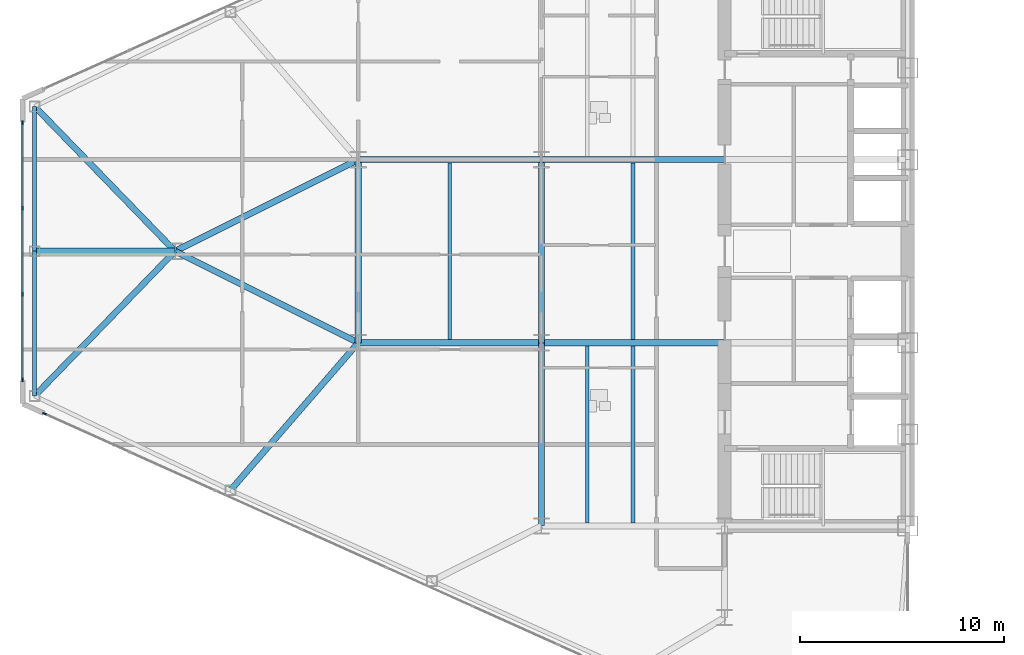
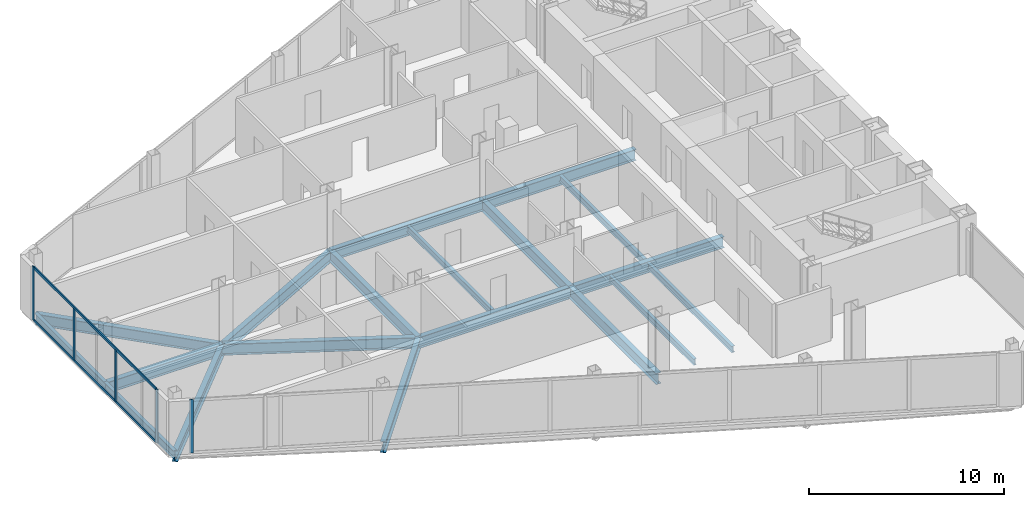
# One storey, part 5 of 27: 19 beams, 7 members, 2 elements without a shape of their own.
"""IFC4 building model written with IfcOpenShell, lengths in metres."""

import ifcopenshell
import ifcopenshell.guid

model = None  # the IFC model being written
_history = None  # IfcOwnerHistory: only IFC2X3 demands one
_inside = {}  # id of a spatial element -> (the spatial element, [elements in it])
_under = {}  # id of a project, library or spatial element -> (it, [spatial elements below it])
_declared = {}  # id of a project -> (the project, [libraries it declares])
_typed = {}  # id of a type object -> (the type object, [elements of that type])
_made_of = {}  # id of a material, layer set ... -> (it, [elements and type objects made of it])


def new_model(schema):
    """Start an empty IFC model of exactly this schema.

    Asked for "IFC4X3", IfcOpenShell would pick the latest addendum, in which some entities
    have other attributes; the version numbers below select the first issue.
    IFC2X3 requires an IfcOwnerHistory on every rooted entity: one is made here for all.
    """
    global model, _history
    if schema == "IFC4X3":
        model = ifcopenshell.file(schema_version=(4, 3, 0, 0))
    else:
        model = ifcopenshell.file(schema=schema)
    _inside.clear()
    _under.clear()
    _declared.clear()
    _typed.clear()
    _made_of.clear()
    _history = None
    if model.schema == "IFC2X3":
        org = make("IfcOrganization", Name="unknown")
        user = make(
            "IfcPersonAndOrganization",
            ThePerson=make("IfcPerson", FamilyName="unknown"),
            TheOrganization=org,
        )
        app = make(
            "IfcApplication",
            ApplicationDeveloper=org,
            Version="unknown",
            ApplicationFullName="unknown",
            ApplicationIdentifier="unknown",
        )
        _history = make(
            "IfcOwnerHistory",
            OwningUser=user,
            OwningApplication=app,
            ChangeAction="ADDED",
            CreationDate=0,
        )
    return model


def make(cls, **values):
    """One entity of the class cls with the attributes given. An attribute that is None is left unset."""
    return model.create_entity(
        cls, **{name: value for name, value in values.items() if value is not None}
    )


def rooted(cls, **values):
    """An entity with a GlobalId (a new one), such as an element, a storey or a relation."""
    return make(cls, GlobalId=ifcopenshell.guid.new(), OwnerHistory=_history, **values)


def si_unit(unit_type, name, prefix=None):
    """IfcSIUnit, for example si_unit("LENGTHUNIT", "METRE", prefix="MILLI")."""
    return make("IfcSIUnit", UnitType=unit_type, Prefix=prefix, Name=name)


def assignment(units):
    """IfcUnitAssignment: the units of a project."""
    return None if units is None else make("IfcUnitAssignment", Units=units)


def point(xyz):
    """IfcCartesianPoint."""
    return None if xyz is None else make("IfcCartesianPoint", Coordinates=xyz)


def direction(xyz):
    """IfcDirection."""
    return None if xyz is None else make("IfcDirection", DirectionRatios=xyz)


def frame(location, z_axis=None, x_axis=None):
    """IfcAxis2Placement3D, a coordinate frame: its origin and axes. An axis left out is left unset."""
    return make(
        "IfcAxis2Placement3D",
        Location=point(location),
        Axis=direction(z_axis),
        RefDirection=direction(x_axis),
    )


def frame_2d(location, x_axis=None):
    """IfcAxis2Placement2D, a coordinate frame in the plane: its origin and x axis."""
    return make(
        "IfcAxis2Placement2D", Location=point(location), RefDirection=direction(x_axis)
    )


def origin():
    """The frame at (0, 0, 0) with its axes left unset."""
    return frame((0.0, 0.0, 0.0))


def origin_2d():
    """The frame at (0, 0) in the plane with its x axis left unset."""
    return frame_2d((0.0, 0.0))


def place(relative_to, where):
    """IfcLocalPlacement: puts the frame where relative to a parent placement (None: the world)."""
    return make(
        "IfcLocalPlacement", PlacementRelTo=relative_to, RelativePlacement=where
    )


def context(
    kind, dimensions, precision=None, world=None, true_north=None, identifier=None
):
    """IfcGeometricRepresentationContext, for example the 3D "Model" context."""
    return make(
        "IfcGeometricRepresentationContext",
        ContextIdentifier=identifier,
        ContextType=kind,
        CoordinateSpaceDimension=dimensions,
        Precision=precision,
        WorldCoordinateSystem=world,
        TrueNorth=true_north,
    )


def subcontext(parent, identifier, kind, view, scale=None):
    """IfcGeometricRepresentationSubContext, for example "Body" below "Model"."""
    return make(
        "IfcGeometricRepresentationSubContext",
        ContextIdentifier=identifier,
        ContextType=kind,
        ParentContext=parent,
        TargetScale=scale,
        TargetView=view,
    )


def project(units=None, contexts=None):
    """IfcProject with its units and contexts."""
    return rooted(
        "IfcProject",
        Name="project",
        RepresentationContexts=contexts,
        UnitsInContext=assignment(units),
    )


def spatial(cls, under=None, at=None, **own):
    """A site, building, storey or space (cls), placed at a placement, below another one or the project."""
    s = rooted(cls, ObjectPlacement=at, **own)
    if under is not None:
        _under.setdefault(under.id(), (under, []))[1].append(s)
    return s


def profile(cls, at=None, kind="AREA", **sizes):
    """A parametric profile (cls). Its sizes go by their IFC names, for example OverallWidth=200.0."""
    return make(cls, ProfileType=kind, Position=at, **sizes)


def rectangle(**sizes):
    """IfcRectangleProfileDef."""
    return profile("IfcRectangleProfileDef", **sizes)


def i_section(**sizes):
    """IfcIShapeProfileDef."""
    return profile("IfcIShapeProfileDef", **sizes)


def extrude(swept, where, along, depth):
    """IfcExtrudedAreaSolid: the profile swept, set in the frame where, extruded along a direction by depth."""
    return make(
        "IfcExtrudedAreaSolid",
        SweptArea=swept,
        Position=where,
        ExtrudedDirection=direction(along),
        Depth=depth,
    )


def shape(context_of_items, identifier, shape_type, items):
    """IfcShapeRepresentation: the items that make up one representation, for example the "Body"."""
    return make(
        "IfcShapeRepresentation",
        ContextOfItems=context_of_items,
        RepresentationIdentifier=identifier,
        RepresentationType=shape_type,
        Items=items,
    )


def source(mapping_origin, context_of_items, identifier, shape_type, items):
    """IfcRepresentationMap: a shape defined once, which mapped items show again and again."""
    return make(
        "IfcRepresentationMap",
        MappingOrigin=mapping_origin,
        MappedRepresentation=shape(context_of_items, identifier, shape_type, items),
    )


def transform(
    local_origin,
    x_axis=None,
    y_axis=None,
    z_axis=None,
    scale=None,
    scale2=None,
    scale3=None,
    uniform=True,
):
    """IfcCartesianTransformationOperator3D, or its non-uniform kind. x_axis, y_axis, z_axis: its Axis1, 2, 3."""
    if uniform:
        return make(
            "IfcCartesianTransformationOperator3D",
            Axis1=direction(x_axis),
            Axis2=direction(y_axis),
            LocalOrigin=point(local_origin),
            Scale=scale,
            Axis3=direction(z_axis),
        )
    return make(
        "IfcCartesianTransformationOperator3DnonUniform",
        Axis1=direction(x_axis),
        Axis2=direction(y_axis),
        LocalOrigin=point(local_origin),
        Scale=scale,
        Axis3=direction(z_axis),
        Scale2=scale2,
        Scale3=scale3,
    )


def mapped(mapping_source, mapping_target):
    """IfcMappedItem: shows the shape of a source again, moved by a transform."""
    return make(
        "IfcMappedItem", MappingSource=mapping_source, MappingTarget=mapping_target
    )


def material(Name=None, Category=None):
    """IfcMaterial."""
    return make("IfcMaterial", Name=Name, Category=Category)


def layer(
    of_material, thickness, ventilated=None, Name=None, Category=None, Priority=None
):
    """IfcMaterialLayer: one layer of a wall or slab, of a material (None: an air gap)."""
    return make(
        "IfcMaterialLayer",
        Material=of_material,
        LayerThickness=thickness,
        IsVentilated=ventilated,
        Name=Name,
        Category=Category,
        Priority=Priority,
    )


def layer_set(layers, Name=None):
    """IfcMaterialLayerSet."""
    return make("IfcMaterialLayerSet", MaterialLayers=layers, LayerSetName=Name)


def material_profile(
    of_material, cross_section, Name=None, Category=None, Priority=None
):
    """IfcMaterialProfile: a cross section and its material."""
    return make(
        "IfcMaterialProfile",
        Name=Name,
        Material=of_material,
        Profile=cross_section,
        Priority=Priority,
        Category=Category,
    )


def profile_set(profiles, Name=None, composite=None):
    """IfcMaterialProfileSet."""
    return make(
        "IfcMaterialProfileSet",
        Name=Name,
        MaterialProfiles=profiles,
        CompositeProfile=composite,
    )


def made_of(thing, what):
    """Note that an element or type object is made of a material, layer set ...; save() writes the relation."""
    if what is not None:
        _made_of.setdefault(what.id(), (what, []))[1].append(thing)
    return thing


def type_object(cls, material=None, **own):
    """A type object (cls), such as IfcWallType, which elements share."""
    return made_of(rooted(cls, **own), material)


def type_shapes(of_type, sources):
    """Give a type object the sources (RepresentationMaps) that its elements show as mapped items."""
    of_type.RepresentationMaps = sources


def element(
    cls,
    number,
    at=None,
    inside=None,
    cuts=None,
    type_object=None,
    material=None,
    context=None,
    identifier="Body",
    shape_type=None,
    held_by="IfcProductDefinitionShape",
    body=None,
    shapes=None,
    **own,
):
    """One element of the class cls, such as IfcWall. Its Tag is "e" and its number.

    at: its placement. inside: the storey or other place that contains it. cuts: it is an
    opening in that element (IfcRelVoidsElement). A single representation is given by context,
    identifier, shape_type and body (its items); several are given by shapes. held_by: the class
    of the entity that holds the representations. save() writes the other relations.
    """
    e = rooted(cls, Tag="e%d" % number, ObjectPlacement=at, **own)
    if body is not None:
        shapes = [shape(context, identifier, shape_type, body)]
    if shapes is not None:
        e.Representation = make(held_by, Representations=shapes)
    if inside is not None:
        _inside.setdefault(inside.id(), (inside, []))[1].append(e)
    if cuts is not None:
        rooted(
            "IfcRelVoidsElement", RelatingBuildingElement=cuts, RelatedOpeningElement=e
        )
    if type_object is not None:
        _typed.setdefault(type_object.id(), (type_object, []))[1].append(e)
    return made_of(e, material)


def aggregate(whole, parts):
    """IfcRelAggregates: a whole, such as a stair, and the parts it consists of."""
    return rooted("IfcRelAggregates", RelatingObject=whole, RelatedObjects=parts)


def save(model, path):
    """Write the relations noted so far, then the file.

    IfcRelAggregates (storeys below a building ...), IfcRelContainedInSpatialStructure (elements
    in a storey), IfcRelDefinesByType, IfcRelAssociatesMaterial and IfcRelDeclares: one each for
    every whole, place, type object, material and project.
    """
    for whole, parts in _under.values():
        aggregate(whole, parts)
    for where, things in _inside.values():
        rooted(
            "IfcRelContainedInSpatialStructure",
            RelatedElements=things,
            RelatingStructure=where,
        )
    for kind, things in _typed.values():
        rooted("IfcRelDefinesByType", RelatedObjects=things, RelatingType=kind)
    for what, things in _made_of.values():
        rooted("IfcRelAssociatesMaterial", RelatedObjects=things, RelatingMaterial=what)
    for by, libraries in _declared.values():
        rooted("IfcRelDeclares", RelatingContext=by, RelatedDefinitions=libraries)
    model.write(path)


model = new_model("IFC4")

# Units and contexts
model_context = context("Model", 3, precision=1e-05, world=origin(), true_north=direction((0.0, 1.0)))
body_context = subcontext(model_context, "Body", "Model", "MODEL_VIEW")
ifc_project = project(units=[si_unit("LENGTHUNIT", "METRE"), si_unit("AREAUNIT", "SQUARE_METRE"), si_unit("VOLUMEUNIT", "CUBIC_METRE"), si_unit("PLANEANGLEUNIT", "RADIAN"), si_unit("MASSUNIT", "GRAM", prefix="KILO")], contexts=[model_context])

# Site, building, storey
site_placement = place(None, origin())
site = spatial("IfcSite", under=ifc_project, at=site_placement, CompositionType="ELEMENT")
building_placement = place(site_placement, origin())
building = spatial("IfcBuilding", under=site, at=building_placement, Name="Seokmaru Belvedere", CompositionType="ELEMENT")
storey_placement = place(building_placement, frame((0.0, 0.0, 83.699951171875)))
storey = spatial("IfcBuildingStorey", under=building, at=storey_placement, Name="L22", CompositionType="ELEMENT", Elevation=83.699951171875)

# Beams
ifc_material_1 = material(Name="Steel SM355 (355 MPa)", Category="steel")
ifc_material_profile_1 = material_profile(ifc_material_1, i_section(OverallWidth=0.300048828125, OverallDepth=0.699951171875, WebThickness=0.012939453125, FlangeThickness=0.02392578125, at=origin_2d()), Name="H-700x300x13x24")
ifc_profile_set_1 = profile_set([ifc_material_profile_1], Name="Steel SM355 (355 MPa)")
beam_type_1 = type_object("IfcBeamType", Name="Primary Floor Girder H-700", PredefinedType="BEAM", material=ifc_profile_set_1)
shared_shape_1 = source(origin(), body_context, "Body", "SweptSolid", [
    extrude(i_section(OverallWidth=0.300048828125, OverallDepth=0.699951171875, WebThickness=0.012939453125, FlangeThickness=0.02392578125, at=origin_2d()), origin(), (0.0, 0.0, 1.0), 9.0),
])
for number, where, z_axis, x_axis, name in (
    (1, (-45.5, -13.5, -0.570068359375), (0.0, 1.0, 0.0), (-1.0, 0.0, 0.0), "L22 W Interior Grid Girder 1"),
    (2, (-45.5, -4.5, -0.570068359375), (0.0, 1.0, 0.0), (-1.0, 0.0, 0.0), "L22 W Interior Grid Girder 2"),
    (3, (-45.5, -4.5, -0.570068359375), (1.0, 0.0, 0.0), (0.0, 1.0, 0.0), "L22 W Wing Primary Girder 2"),
    (4, (-45.5, 4.5, -0.570068359375), (1.0, 0.0, 0.0), (0.0, 1.0, 0.0), "L22 W Wing Primary Girder 3"),
    (5, (-54.5, -4.5, -0.570068359375), (1.0, 0.0, 0.0), (0.0, 1.0, 0.0), "L22 W Outer Wing Girder 1"),
    (6, (-54.5, 4.5, -0.570068359375), (1.0, 0.0, 0.0), (0.0, 1.0, 0.0), "L22 W Outer Wing Girder 2"),
    (7, (-54.5, -4.5, -0.570068359375), (0.0, 1.0, 0.0), (-1.0, 0.0, 0.0), "L22 W Apex Frame Girder"),
):
    element("IfcBeam", number, at=place(storey_placement, frame(where, z_axis=z_axis, x_axis=x_axis)), inside=storey, type_object=beam_type_1, Name=name, PredefinedType="BEAM", context=body_context, shape_type="MappedRepresentation", body=[
        mapped(shared_shape_1, transform((0.0, 0.0, 0.0), scale=1.0)),
    ])
shared_shape_2 = source(origin(), body_context, "Body", "SweptSolid", [
    extrude(i_section(OverallWidth=0.300048828125, OverallDepth=0.699951171875, WebThickness=0.012939453125, FlangeThickness=0.02392578125, at=origin_2d()), origin(), (0.0, 0.0, 1.0), 10.062255859375),
])
for number, where, z_axis, x_axis, name in (
    (8, (-54.5, -4.5, -0.570068359375), (-0.894427191, 0.4472135955, 0.0), (-0.4472135955, -0.894427191, 0.0), "L22 W Apex Converging Girder 1"),
    (9, (-54.5, 4.5, -0.570068359375), (-0.894427191, -0.4472135955, 0.0), (0.4472135955, -0.894427191, 0.0), "L22 W Apex Converging Girder 2"),
):
    element("IfcBeam", number, at=place(storey_placement, frame(where, z_axis=z_axis, x_axis=x_axis)), inside=storey, type_object=beam_type_1, Name=name, PredefinedType="BEAM", context=body_context, shape_type="MappedRepresentation", body=[
        mapped(shared_shape_2, transform((0.0, 0.0, 0.0), scale=1.0)),
    ])
ifc_material_profile_2 = material_profile(ifc_material_1, i_section(OverallWidth=0.18505859375, OverallDepth=0.389892578125, WebThickness=0.008056640625, FlangeThickness=0.011962890625, at=origin_2d()), Name="H-390x185x8x12")
ifc_profile_set_2 = profile_set([ifc_material_profile_2], Name="Steel SM355 (355 MPa)")
beam_type_2 = type_object("IfcBeamType", Name="Secondary Floor Joist H-350", PredefinedType="JOIST", material=ifc_profile_set_2)
shared_shape_3 = source(origin(), body_context, "Body", "SweptSolid", [
    extrude(i_section(OverallWidth=0.18505859375, OverallDepth=0.389892578125, WebThickness=0.008056640625, FlangeThickness=0.011962890625, at=origin_2d()), origin(), (0.0, 0.0, 1.0), 8.68994140625),
])
type_shapes(beam_type_2, [shared_shape_3])
for number, where, z_axis, x_axis, name in (
    (10, (-43.25, -13.344970703125, -0.4150390625), (0.0, 1.0, 0.0), (-1.0, 0.0, 0.0), "L22 W Wing Inner Secondary Joist 1"),
    (11, (-41.0, -13.344970703125, -0.4150390625), (0.0, 1.0, 0.0), (-1.0, 0.0, 0.0), "L22 W Secondary Floor Joist 1"),
    (12, (-41.0, -4.344970703125, -0.4150390625), (0.0, 1.0, 0.0), (-1.0, 0.0, 0.0), "L22 W Secondary Floor Joist 2"),
    (13, (-50.0, -4.344970703125, -0.4150390625), (0.0, 1.0, 0.0), (-1.0, 0.0, 0.0), "L22 W Outer Bay Secondary Joist"),
):
    element("IfcBeam", number, at=place(storey_placement, frame(where, z_axis=z_axis, x_axis=x_axis)), inside=storey, type_object=beam_type_2, Name=name, PredefinedType="JOIST", context=body_context, shape_type="MappedRepresentation", body=[
        mapped(shared_shape_3, transform((0.0, 0.0, 0.0), scale=1.0)),
    ])
ifc_material_profile_3 = material_profile(ifc_material_1, i_section(OverallWidth=0.199951171875, OverallDepth=0.5, WebThickness=0.010009765625, FlangeThickness=0.01611328125, at=origin_2d()), Name="H-500x200x10x16")
ifc_profile_set_3 = profile_set([ifc_material_profile_3], Name="Steel SM355 (355 MPa)")
beam_type_3 = type_object("IfcBeamType", Name="Perimeter Spandrel Beam H-500", PredefinedType="SPANDREL", material=ifc_profile_set_3)
shared_shape_4 = source(origin(), body_context, "Body", "SweptSolid", [
    extrude(i_section(OverallWidth=0.199951171875, OverallDepth=0.5, WebThickness=0.010009765625, FlangeThickness=0.01611328125, at=origin_2d()), origin(), (0.0, 0.0, 1.0), 7.112060546875),
])
type_shapes(beam_type_3, [shared_shape_4])
for number, where, z_axis, x_axis, name in (
    (14, (-70.39990234375, -7.112060546875, -0.469970703125), (0.0, 1.0, 0.0), (-1.0, 0.0, 0.0), "L22 W Faceted Apex Spandrel S"),
    (15, (-70.39990234375, 0.0, -0.469970703125), (0.0, 1.0, 0.0), (-1.0, 0.0, 0.0), "L22 W Faceted Apex Spandrel N"),
):
    element("IfcBeam", number, at=place(storey_placement, frame(where, z_axis=z_axis, x_axis=x_axis)), inside=storey, type_object=beam_type_3, Name=name, PredefinedType="SPANDREL", context=body_context, shape_type="MappedRepresentation", body=[
        mapped(shared_shape_4, transform((0.0, 0.0, 0.0), scale=1.0)),
    ])
shared_shape_5 = source(origin(), body_context, "Body", "SweptSolid", [
    extrude(i_section(OverallWidth=0.300048828125, OverallDepth=0.699951171875, WebThickness=0.012939453125, FlangeThickness=0.02392578125, at=origin_2d()), origin(), (0.0, 0.0, 1.0), 9.589599609375),
])
beam_1_placement = place(storey_placement, frame((-60.777587890625, -11.749267578125, -0.570068359375), z_axis=(0.654626140929, 0.755952786629, 0.0), x_axis=(-0.755952786629, 0.654626140929, 0.0)))
element("IfcBeam", 16, at=beam_1_placement, inside=storey, type_object=beam_type_1, Name="L22 W Flank Radial Floor Girder S-3", PredefinedType="BEAM", context=body_context, shape_type="MappedRepresentation", body=[
    mapped(shared_shape_5, transform((0.0, 0.0, 0.0), scale=1.0)),
])
shared_shape_6 = source(origin(), body_context, "Body", "SweptSolid", [
    extrude(i_section(OverallWidth=0.300048828125, OverallDepth=0.699951171875, WebThickness=0.012939453125, FlangeThickness=0.02392578125, at=origin_2d()), origin(), (0.0, 0.0, 1.0), 9.9091796875),
])
for number, where, z_axis, x_axis, name in (
    (17, (-70.39990234375, -7.112060546875, -0.570068359375), (0.6963205089, 0.717730972499, 0.0), (-0.717730972499, 0.6963205089, 0.0), "L22 W Apex Radial Floor Girder 1"),
    (18, (-70.39990234375, 7.112060546875, -0.570068359375), (0.6963205089, -0.717730972499, 0.0), (0.717730972499, 0.6963205089, 0.0), "L22 W Apex Radial Floor Girder 2"),
):
    element("IfcBeam", number, at=place(storey_placement, frame(where, z_axis=z_axis, x_axis=x_axis)), inside=storey, type_object=beam_type_1, Name=name, PredefinedType="BEAM", context=body_context, shape_type="MappedRepresentation", body=[
        mapped(shared_shape_6, transform((0.0, 0.0, 0.0), scale=1.0)),
    ])
shared_shape_7 = source(origin(), body_context, "Body", "SweptSolid", [
    extrude(i_section(OverallWidth=0.300048828125, OverallDepth=0.699951171875, WebThickness=0.012939453125, FlangeThickness=0.02392578125, at=origin_2d()), origin(), (0.0, 0.0, 1.0), 6.89990234375),
])
type_shapes(beam_type_1, [shared_shape_1, shared_shape_2, shared_shape_5, shared_shape_6, shared_shape_7])
beam_2_placement = place(storey_placement, frame((-70.39990234375, 0.0, -0.570068359375), z_axis=(1.0, 0.0, 0.0), x_axis=(0.0, 1.0, 0.0)))
element("IfcBeam", 19, at=beam_2_placement, inside=storey, type_object=beam_type_1, Name="L22 W Apex Center Radial Girder", PredefinedType="BEAM", context=body_context, shape_type="MappedRepresentation", body=[
    mapped(shared_shape_7, transform((0.0, 0.0, 0.0), scale=1.0)),
])

# Curtain wall, members
ifc_material_2 = material(Name="Bronze Triple Insulating Glass", Category="glass")
ifc_layer = layer(ifc_material_2, 0.195068359375)
ifc_layer_set = layer_set([ifc_layer], Name="Bronze Triple Insulating Glass")
curtain_wall_type = type_object("IfcCurtainWallType", Name="Lower-Mid Tapered Curtain Wall System CW-3", PredefinedType="NOTDEFINED", material=ifc_layer_set)
curtain_wall_1_placement = place(storey_placement, origin())
curtain_wall_1 = element("IfcCurtainWall", 20, at=curtain_wall_1_placement, inside=storey, type_object=curtain_wall_type, Name="L22 Curtain Wall WF4", PredefinedType="NOTDEFINED")
ifc_material_3 = material(Name="Anodised Bronze Aluminium", Category="aluminium")
ifc_material_profile_4 = material_profile(ifc_material_3, rectangle(XDim=0.070068359375, YDim=0.1650390625, at=origin_2d()), Name="CW-T-70x165")
ifc_profile_set_4 = profile_set([ifc_material_profile_4], Name="Anodised Bronze Aluminium")
member_type_1 = type_object("IfcMemberType", Name="Bronze Unitised Transom 70x165", PredefinedType="USERDEFINED", material=ifc_profile_set_4)
shared_shape_8 = source(origin(), body_context, "Body", "SweptSolid", [
    extrude(rectangle(XDim=0.070068359375, YDim=0.1650390625, at=origin_2d()), origin(), (0.0, 0.0, 1.0), 12.56005859375),
])
type_shapes(member_type_1, [shared_shape_8])
member_1_placement = place(storey_placement, frame((-71.0, 6.280029296875, 0.03515625), z_axis=(0.0, -1.0, 0.0), x_axis=(1.0, 0.0, 0.0)))
member_1 = element("IfcMember", 21, at=member_1_placement, type_object=member_type_1, Name="CW:L22:WF4 Continuous Transom 1", ObjectType="TRANSOM", PredefinedType="USERDEFINED", context=body_context, shape_type="MappedRepresentation", body=[
    mapped(shared_shape_8, transform((0.0, 0.0, 0.0), scale=1.0)),
])
member_2_placement = place(storey_placement, frame((-71.0, 6.280029296875, 3.304931640625), z_axis=(0.0, -1.0, 0.0), x_axis=(1.0, 0.0, 0.0)))
member_2 = element("IfcMember", 22, at=member_2_placement, type_object=member_type_1, Name="CW:L22:WF4 Continuous Transom 2", ObjectType="TRANSOM", PredefinedType="USERDEFINED", context=body_context, shape_type="MappedRepresentation", body=[
    mapped(shared_shape_8, transform((0.0, 0.0, 0.0), scale=1.0)),
])
ifc_material_profile_5 = material_profile(ifc_material_3, rectangle(XDim=0.070068359375, YDim=0.195068359375, at=origin_2d()), Name="CW-M-70x195")
ifc_profile_set_5 = profile_set([ifc_material_profile_5], Name="Anodised Bronze Aluminium")
member_type_2 = type_object("IfcMemberType", Name="Bronze Unitised Mullion 70x195", PredefinedType="MULLION", material=ifc_profile_set_5)
shared_shape_9 = source(origin(), body_context, "Body", "SweptSolid", [
    extrude(rectangle(XDim=0.070068359375, YDim=0.195068359375, at=origin_2d()), origin(), (0.0, 0.0, 1.0), 3.340087890625),
])
member_3_placement = place(storey_placement, frame((-71.0, 6.31494140625, 0.0), z_axis=(0.0, 0.0, 1.0), x_axis=(1.0, 0.0, 0.0)))
member_3 = element("IfcMember", 23, at=member_3_placement, type_object=member_type_2, Name="CW:L22:WF4 Mullion 1", PredefinedType="MULLION", context=body_context, shape_type="MappedRepresentation", body=[
    mapped(shared_shape_9, transform((0.0, 0.0, 0.0), scale=1.0)),
])
member_4_placement = place(storey_placement, frame((-71.0, -6.31494140625, 0.0), z_axis=(0.0, 0.0, 1.0), x_axis=(1.0, 0.0, 0.0)))
member_4 = element("IfcMember", 24, at=member_4_placement, type_object=member_type_2, Name="CW:L22:WF4 Mullion 4", PredefinedType="MULLION", context=body_context, shape_type="MappedRepresentation", body=[
    mapped(shared_shape_9, transform((0.0, 0.0, 0.0), scale=1.0)),
])

# Curtain wall, member
curtain_wall_2_placement = place(storey_placement, origin())
curtain_wall_2 = element("IfcCurtainWall", 25, at=curtain_wall_2_placement, inside=storey, type_object=curtain_wall_type, Name="L22 Curtain Wall WF5", PredefinedType="NOTDEFINED")
member_5_placement = place(storey_placement, frame((-69.91943359375, -7.986328125, 0.0), z_axis=(0.0, 0.0, 1.0), x_axis=(0.41036554765, 0.91192111353, 0.0)))
member_5 = element("IfcMember", 26, at=member_5_placement, type_object=member_type_2, Name="CW:L22:WF5 Mullion 1", PredefinedType="MULLION", context=body_context, shape_type="MappedRepresentation", body=[
    mapped(shared_shape_9, transform((0.0, 0.0, 0.0), scale=1.0)),
])
aggregate(curtain_wall_2, [member_5])

# Member
shared_shape_10 = source(origin(), body_context, "Body", "SweptSolid", [
    extrude(rectangle(XDim=0.070068359375, YDim=0.195068359375, at=origin_2d()), origin(), (0.0, 0.0, 1.0), 3.199951171875),
])
type_shapes(member_type_2, [shared_shape_9, shared_shape_10])
member_6_placement = place(storey_placement, frame((-71.0, 2.11669921875, 0.070068359375), z_axis=(0.0, 0.0, 1.0), x_axis=(1.0, 0.0, 0.0)))
member_6 = element("IfcMember", 27, at=member_6_placement, type_object=member_type_2, Name="CW:L22:WF4 Mullion 2", PredefinedType="MULLION", context=body_context, shape_type="MappedRepresentation", body=[
    mapped(shared_shape_10, transform((0.0, 0.0, 0.0), scale=1.0)),
])

member_7_placement = place(storey_placement, frame((-71.0, -2.11669921875, 0.070068359375), z_axis=(0.0, 0.0, 1.0), x_axis=(1.0, 0.0, 0.0)))
member_7 = element("IfcMember", 28, at=member_7_placement, type_object=member_type_2, Name="CW:L22:WF4 Mullion 3", PredefinedType="MULLION", context=body_context, shape_type="MappedRepresentation", body=[
    mapped(shared_shape_10, transform((0.0, 0.0, 0.0), scale=1.0)),
])

aggregate(curtain_wall_1, [member_3, member_6, member_7, member_4, member_1, member_2])

save(model, "model.ifc")
